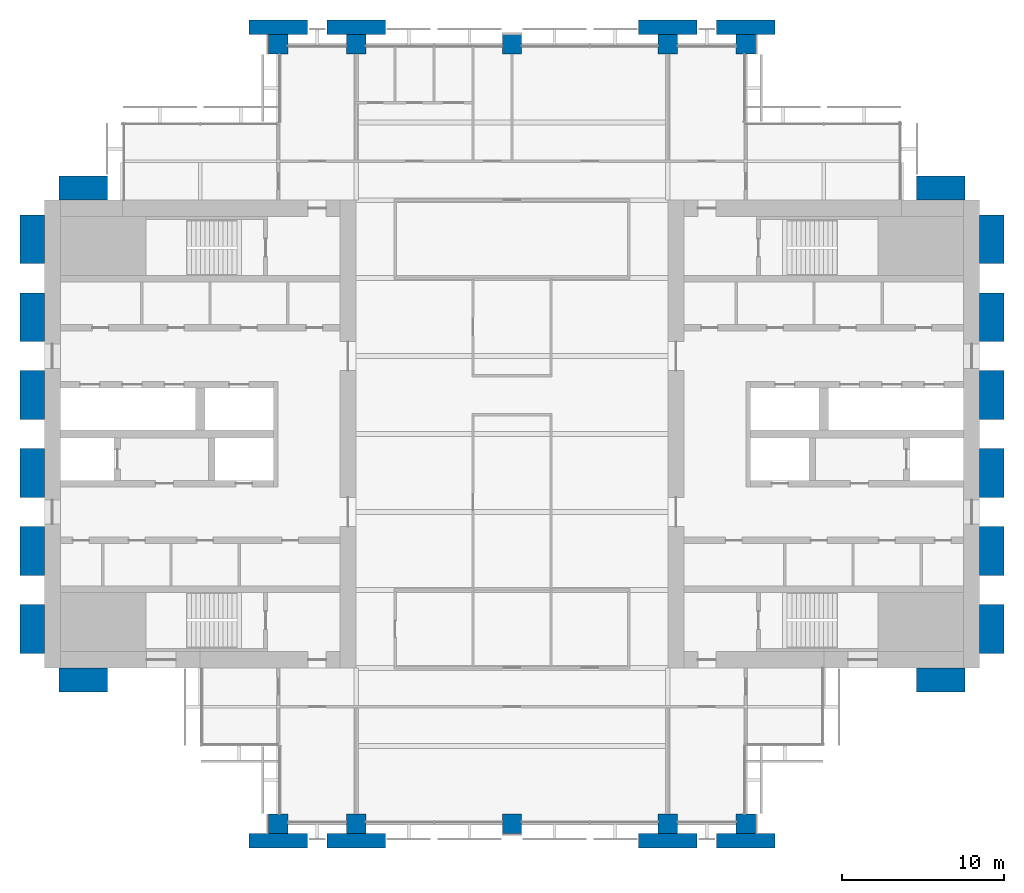
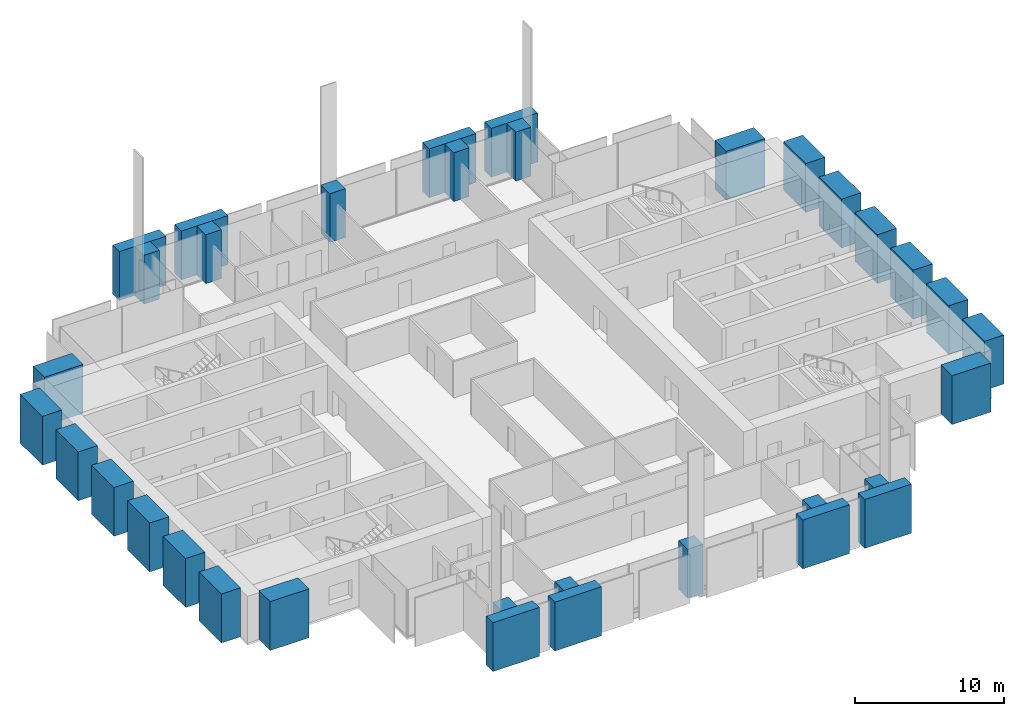
# One storey, part 1 of 14: 34 columns.
"""IFC4 building model written with IfcOpenShell, lengths in metres."""

from ifc_helpers import new_model, si_unit, direction, frame, origin, origin_2d, place, context, subcontext, project, spatial, rectangle, extrude, material, material_profile, profile_set, type_object, element, save


model = new_model("IFC4")

# Units and contexts
model_context = context("Model", 3, precision=1e-05, world=origin(), true_north=direction((0.0, 1.0)))
body_context = subcontext(model_context, "Body", "Model", "MODEL_VIEW")
ifc_project = project(units=[si_unit("LENGTHUNIT", "METRE"), si_unit("AREAUNIT", "SQUARE_METRE"), si_unit("VOLUMEUNIT", "CUBIC_METRE"), si_unit("PLANEANGLEUNIT", "RADIAN"), si_unit("MASSUNIT", "GRAM", prefix="KILO")], contexts=[model_context])

# Site, building, storey
site_placement = place(None, origin())
site = spatial("IfcSite", under=ifc_project, at=site_placement, CompositionType="ELEMENT")
building_placement = place(site_placement, origin())
building = spatial("IfcBuilding", under=site, at=building_placement, Name="Baori Bourse Tower", CompositionType="ELEMENT")
storey_placement = place(building_placement, frame((0.0, 0.0, 132.10009765625)))
storey = spatial("IfcBuildingStorey", under=building, at=storey_placement, Name="L28", CompositionType="ELEMENT", Elevation=132.10009765625)

# Columns
ifc_material_1 = material(Name="Concrete f'c 60 MPa", Category="concrete")
ifc_material_profile_1 = material_profile(ifc_material_1, rectangle(XDim=3.60009765625, YDim=0.89990234375, at=origin_2d()), Name="RC 3600x900")
ifc_profile_set_1 = profile_set([ifc_material_profile_1], Name="Concrete f'c 60 MPa")
column_type_1 = type_object("IfcColumnType", Name="FN3 Brick pilaster 3600x900", PredefinedType="PILASTER", material=ifc_profile_set_1)
for number, where, z_axis, x_axis, name in (
    (1, (14.39990234375, -1.050048828125, 0.0), (0.0, 0.0, 1.0), (1.0, 0.0, 0.0), "Brick pilaster L28 17"),
    (2, (19.199951171875, -1.050048828125, 0.0), (0.0, 0.0, 1.0), (1.0, 0.0, 0.0), "Brick pilaster L28 18"),
    (3, (38.39990234375, -1.050048828125, 0.0), (0.0, 0.0, 1.0), (1.0, 0.0, 0.0), "Brick pilaster L28 19"),
    (4, (43.199951171875, -1.050048828125, 0.0), (0.0, 0.0, 1.0), (1.0, 0.0, 0.0), "Brick pilaster L28 20"),
    (5, (14.39990234375, 49.050048828125, 0.0), (0.0, 0.0, 1.0), (1.0, 0.0, 0.0), "Brick pilaster L28 21"),
    (6, (19.199951171875, 49.050048828125, 0.0), (0.0, 0.0, 1.0), (1.0, 0.0, 0.0), "Brick pilaster L28 22"),
    (7, (38.39990234375, 49.050048828125, 0.0), (0.0, 0.0, 1.0), (1.0, 0.0, 0.0), "Brick pilaster L28 23"),
    (8, (43.199951171875, 49.050048828125, 0.0), (0.0, 0.0, 1.0), (1.0, 0.0, 0.0), "Brick pilaster L28 24"),
):
    element("IfcColumn", number, at=place(storey_placement, frame(where, z_axis=z_axis, x_axis=x_axis)), inside=storey, type_object=column_type_1, Name=name, PredefinedType="PILASTER", context=body_context, shape_type="SweptSolid", body=[
        extrude(rectangle(XDim=3.60009765625, YDim=0.89990234375, at=origin_2d()), origin(), (0.0, 0.0, 1.0), 4.0),
    ])
ifc_material_2 = material(Name="Concrete f'c 60 MPa", Category="concrete")
ifc_material_profile_2 = material_profile(ifc_material_2, rectangle(XDim=3.0, YDim=1.5, at=origin_2d()), Name="RC 3000x1500")
ifc_profile_set_2 = profile_set([ifc_material_profile_2], Name="Concrete f'c 60 MPa")
column_type_2 = type_object("IfcColumnType", Name="FN4 Brick flank pilaster 3000x1500", PredefinedType="PILASTER", material=ifc_profile_set_2)
for number, where, z_axis, x_axis, name in (
    (9, (55.199951171875, 8.85009765625, 0.0), (0.0, 0.0, 1.0), (1.0, 0.0, 0.0), "Brick pilaster L28 1"),
    (10, (58.35009765625, 12.0, 0.0), (0.0, 0.0, 1.0), (0.0, 1.0, 0.0), "Brick pilaster L28 2"),
    (11, (58.35009765625, 16.800048828125, 0.0), (0.0, 0.0, 1.0), (0.0, 1.0, 0.0), "Brick pilaster L28 3"),
    (12, (58.35009765625, 21.60009765625, 0.0), (0.0, 0.0, 1.0), (0.0, 1.0, 0.0), "Brick pilaster L28 4"),
    (13, (58.35009765625, 26.39990234375, 0.0), (0.0, 0.0, 1.0), (0.0, 1.0, 0.0), "Brick pilaster L28 5"),
    (14, (58.35009765625, 31.199951171875, 0.0), (0.0, 0.0, 1.0), (0.0, 1.0, 0.0), "Brick pilaster L28 6"),
    (15, (58.35009765625, 36.0, 0.0), (0.0, 0.0, 1.0), (0.0, 1.0, 0.0), "Brick pilaster L28 7"),
    (16, (55.199951171875, 39.14990234375, 0.0), (0.0, 0.0, 1.0), (1.0, 0.0, 0.0), "Brick pilaster L28 8"),
    (17, (2.39990234375, 39.14990234375, 0.0), (0.0, 0.0, 1.0), (1.0, 0.0, 0.0), "Brick pilaster L28 9"),
    (18, (-0.75, 12.0, 0.0), (0.0, 0.0, 1.0), (0.0, 1.0, 0.0), "Brick pilaster L28 10"),
    (19, (-0.75, 16.800048828125, 0.0), (0.0, 0.0, 1.0), (0.0, 1.0, 0.0), "Brick pilaster L28 11"),
    (20, (-0.75, 21.60009765625, 0.0), (0.0, 0.0, 1.0), (0.0, 1.0, 0.0), "Brick pilaster L28 12"),
    (21, (-0.75, 26.39990234375, 0.0), (0.0, 0.0, 1.0), (0.0, 1.0, 0.0), "Brick pilaster L28 13"),
    (22, (-0.75, 31.199951171875, 0.0), (0.0, 0.0, 1.0), (0.0, 1.0, 0.0), "Brick pilaster L28 14"),
    (23, (-0.75, 36.0, 0.0), (0.0, 0.0, 1.0), (0.0, 1.0, 0.0), "Brick pilaster L28 15"),
    (24, (2.39990234375, 8.85009765625, 0.0), (0.0, 0.0, 1.0), (1.0, 0.0, 0.0), "Brick pilaster L28 16"),
):
    element("IfcColumn", number, at=place(storey_placement, frame(where, z_axis=z_axis, x_axis=x_axis)), inside=storey, type_object=column_type_2, Name=name, PredefinedType="PILASTER", context=body_context, shape_type="SweptSolid", body=[
        extrude(rectangle(XDim=3.0, YDim=1.5, at=origin_2d()), origin(), (0.0, 0.0, 1.0), 4.0),
    ])
ifc_material_3 = material(Name="Concrete f'c 60 MPa", Category="concrete")
ifc_material_profile_3 = material_profile(ifc_material_3, rectangle(XDim=1.199951171875, YDim=1.199951171875, at=origin_2d()), Name="RC 1200x1200")
ifc_profile_set_3 = profile_set([ifc_material_profile_3], Name="Concrete f'c 60 MPa")
column_type_3 = type_object("IfcColumnType", Name="Perimeter column 60 RC 1200x1200", PredefinedType="COLUMN", material=ifc_profile_set_3)
for number, where, z_axis, x_axis, name in (
    (25, (14.39990234375, 0.0, 0.0), (0.0, 0.0, 1.0), (1.0, 0.0, 0.0), "Perimeter column L28"),
    (26, (19.199951171875, 0.0, 0.0), (0.0, 0.0, 1.0), (1.0, 0.0, 0.0), "Perimeter column L28"),
    (27, (28.800048828125, 0.0, 0.0), (0.0, 0.0, 1.0), (1.0, 0.0, 0.0), "Perimeter column L28"),
    (28, (38.39990234375, 0.0, 0.0), (0.0, 0.0, 1.0), (1.0, 0.0, 0.0), "Perimeter column L28"),
    (29, (43.199951171875, 0.0, 0.0), (0.0, 0.0, 1.0), (1.0, 0.0, 0.0), "Perimeter column L28"),
    (30, (14.39990234375, 48.0, 0.0), (0.0, 0.0, 1.0), (1.0, 0.0, 0.0), "Perimeter column L28"),
    (31, (19.199951171875, 48.0, 0.0), (0.0, 0.0, 1.0), (1.0, 0.0, 0.0), "Perimeter column L28"),
    (32, (28.800048828125, 48.0, 0.0), (0.0, 0.0, 1.0), (1.0, 0.0, 0.0), "Perimeter column L28"),
    (33, (38.39990234375, 48.0, 0.0), (0.0, 0.0, 1.0), (1.0, 0.0, 0.0), "Perimeter column L28"),
    (34, (43.199951171875, 48.0, 0.0), (0.0, 0.0, 1.0), (1.0, 0.0, 0.0), "Perimeter column L28"),
):
    element("IfcColumn", number, at=place(storey_placement, frame(where, z_axis=z_axis, x_axis=x_axis)), inside=storey, type_object=column_type_3, Name=name, PredefinedType="COLUMN", context=body_context, shape_type="SweptSolid", body=[
        extrude(rectangle(XDim=1.199951171875, YDim=1.199951171875, at=origin_2d()), origin(), (0.0, 0.0, 1.0), 4.0),
    ])

save(model, "model.ifc")
